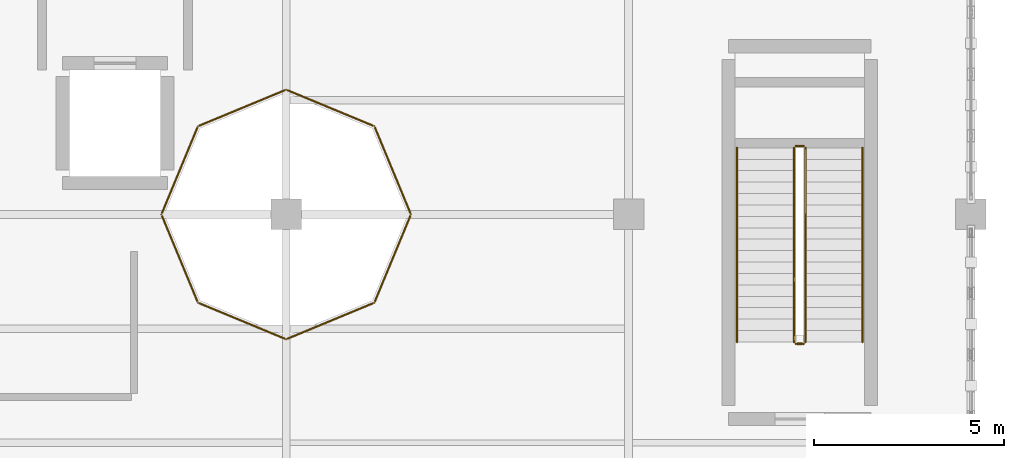
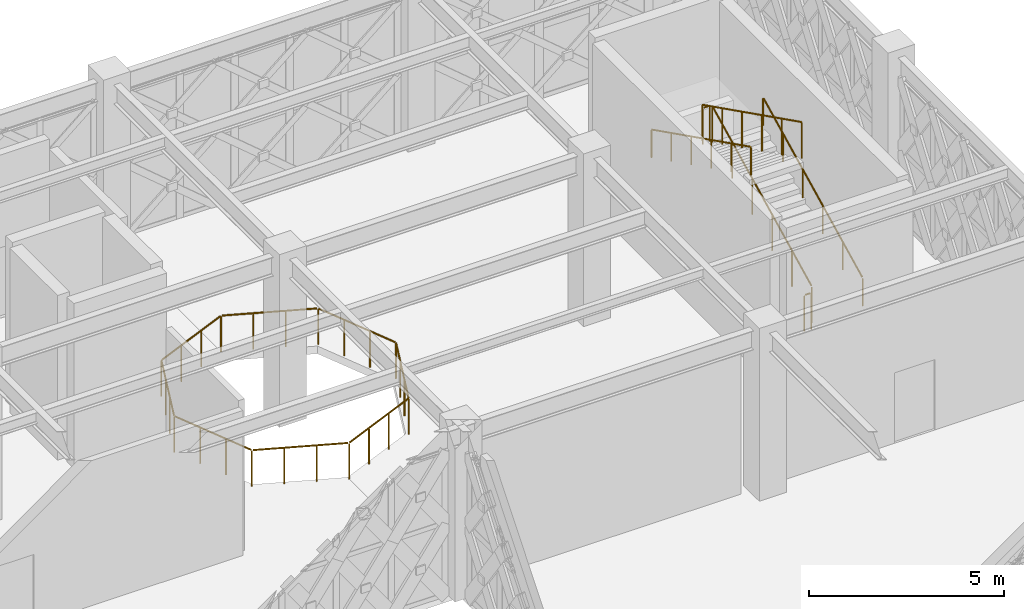
# One storey, part 80 of 86: 7 railings.
"""IFC4 building model written with IfcOpenShell, lengths in metres."""

from ifc_helpers import new_model, si_unit, direction, frame, origin, origin_2d, place, context, subcontext, project, spatial, circle, extrude, material, type_object, element, save


model = new_model("IFC4")

# Units and contexts
model_context = context("Model", 3, precision=1e-05, world=origin(), true_north=direction((0.0, 1.0)))
body_context = subcontext(model_context, "Body", "Model", "MODEL_VIEW")
ifc_project = project(units=[si_unit("LENGTHUNIT", "METRE"), si_unit("AREAUNIT", "SQUARE_METRE"), si_unit("VOLUMEUNIT", "CUBIC_METRE"), si_unit("PLANEANGLEUNIT", "RADIAN"), si_unit("MASSUNIT", "GRAM", prefix="KILO")], contexts=[model_context])

# Site, building, storey
site_placement = place(None, origin())
site = spatial("IfcSite", under=ifc_project, at=site_placement, CompositionType="ELEMENT")
building_placement = place(site_placement, origin())
building = spatial("IfcBuilding", under=site, at=building_placement, Name="Haizhuo Lancet Aquarium", CompositionType="ELEMENT")
storey_placement = place(building_placement, frame((0.0, 0.0, 16.199951171875)))
storey = spatial("IfcBuildingStorey", under=building, at=storey_placement, Name="L03", CompositionType="ELEMENT", Elevation=16.199951171875)

# Railings
ifc_material = material(Name="Steel S355", Category="steel")
railing_type_1 = type_object("IfcRailingType", Name="RL-GRD-1150", PredefinedType="GUARDRAIL", material=ifc_material)
railing_1_placement = place(storey_placement, frame((-40.35009765625, -21.35009765625, 0.150146484375)))
element("IfcRailing", 1, at=railing_1_placement, inside=storey, type_object=railing_type_1, Name="L03 ST-09 stair guard 1", PredefinedType="GUARDRAIL", context=body_context, shape_type="SweptSolid", body=[
    extrude(circle(Radius=0.02392578125, at=origin_2d()), frame((0.0, 0.02685546875, 1.13916015625), z_axis=(0.0, 0.89444431709, 0.44717934168), x_axis=(-1.0, 0.0, 0.0)), (0.0, 0.0, 1.0), 5.64208984375),
    extrude(circle(Radius=0.02099609375, at=origin_2d()), origin(), (0.0, 0.0, 1.0), 1.097900390625),
    extrude(circle(Radius=0.02099609375, at=origin_2d()), frame((0.0, 1.02001953125, 0.510009765625)), (0.0, 0.0, 1.0), 1.097900390625),
    extrude(circle(Radius=0.02099609375, at=origin_2d()), frame((0.0, 2.0400390625, 1.02001953125)), (0.0, 0.0, 1.0), 1.097900390625),
    extrude(circle(Radius=0.02099609375, at=origin_2d()), frame((0.0, 3.06005859375, 1.52978515625)), (0.0, 0.0, 1.0), 1.097900390625),
    extrude(circle(Radius=0.02099609375, at=origin_2d()), frame((0.0, 4.080078125, 2.039794921875)), (0.0, 0.0, 1.0), 1.097900390625),
    extrude(circle(Radius=0.02099609375, at=origin_2d()), frame((0.0, 5.10009765625, 2.5498046875)), (0.0, 0.0, 1.0), 1.097900390625),
])
railing_2_placement = place(storey_placement, frame((-40.39990234375, -16.199951171875, 2.699951171875)))
element("IfcRailing", 2, at=railing_2_placement, inside=storey, type_object=railing_type_1, Name="L03 ST-09 stair guard 2", PredefinedType="GUARDRAIL", context=body_context, shape_type="SweptSolid", body=[
    extrude(circle(Radius=0.02392578125, at=origin_2d()), frame((-0.030029296875, 0.0, 1.1259765625), z_axis=(-1.0, 0.0, 0.0), x_axis=(0.0, -1.0, 0.0)), (0.0, 0.0, 1.0), 0.14013671875),
    extrude(circle(Radius=0.02099609375, at=origin_2d()), origin(), (0.0, 0.0, 1.0), 1.097900390625),
    extrude(circle(Radius=0.02099609375, at=origin_2d()), frame((-0.2001953125, 0.0, 0.0)), (0.0, 0.0, 1.0), 1.097900390625),
])
railing_3_placement = place(storey_placement, frame((-40.64990234375, -16.25, 2.85009765625)))
element("IfcRailing", 3, at=railing_3_placement, inside=storey, type_object=railing_type_1, Name="L03 ST-09 stair guard 3", PredefinedType="GUARDRAIL", context=body_context, shape_type="SweptSolid", body=[
    extrude(circle(Radius=0.02392578125, at=origin_2d()), frame((0.0, -0.02685546875, 1.13916015625), z_axis=(0.0, -0.894427191, 0.4472135955), x_axis=(1.0, 0.0, 0.0)), (0.0, 0.0, 1.0), 5.64208984375),
    extrude(circle(Radius=0.02099609375, at=origin_2d()), origin(), (0.0, 0.0, 1.0), 1.097900390625),
    extrude(circle(Radius=0.02099609375, at=origin_2d()), frame((0.0, -1.02001953125, 0.510009765625)), (0.0, 0.0, 1.0), 1.097900390625),
    extrude(circle(Radius=0.02099609375, at=origin_2d()), frame((0.0, -2.0400390625, 1.02001953125)), (0.0, 0.0, 1.0), 1.097900390625),
    extrude(circle(Radius=0.02099609375, at=origin_2d()), frame((0.0, -3.06005859375, 1.530029296875)), (0.0, 0.0, 1.0), 1.097900390625),
    extrude(circle(Radius=0.02099609375, at=origin_2d()), frame((0.0, -4.080078125, 2.0400390625)), (0.0, 0.0, 1.0), 1.097900390625),
    extrude(circle(Radius=0.02099609375, at=origin_2d()), frame((0.0, -5.10009765625, 2.550048828125)), (0.0, 0.0, 1.0), 1.097900390625),
])
railing_4_placement = place(storey_placement, frame((-40.39990234375, -21.39990234375, 0.0)))
element("IfcRailing", 4, at=railing_4_placement, inside=storey, type_object=railing_type_1, Name="L03 ST-09 stair guard 4", PredefinedType="GUARDRAIL", context=body_context, shape_type="SweptSolid", body=[
    extrude(circle(Radius=0.02392578125, at=origin_2d()), frame((-0.030029296875, 0.0, 1.1259765625), z_axis=(-1.0, 0.0, 0.0), x_axis=(0.0, -1.0, 0.0)), (0.0, 0.0, 1.0), 0.14013671875),
    extrude(circle(Radius=0.02099609375, at=origin_2d()), origin(), (0.0, 0.0, 1.0), 1.097900390625),
    extrude(circle(Radius=0.02099609375, at=origin_2d()), frame((-0.2001953125, 0.0, 0.0)), (0.0, 0.0, 1.0), 1.097900390625),
])
railing_5_placement = place(storey_placement, frame((-50.719970703125, -18.0, 0.0)))
element("IfcRailing", 5, at=railing_5_placement, inside=storey, type_object=railing_type_1, Name="L03 atrium opening guardrail V6ATR", PredefinedType="GUARDRAIL", context=body_context, shape_type="SweptSolid", body=[
    extrude(circle(Radius=0.02392578125, at=origin_2d()), frame((-0.011474609375, 0.02783203125, 1.1259765625), z_axis=(-0.38279843311, 0.923831889257, 0.0), x_axis=(-0.923831889257, -0.38279843311, 0.0)), (0.0, 0.0, 1.0), 2.4501953125),
    extrude(circle(Radius=0.02392578125, at=origin_2d()), frame((-0.98876953125, 2.33056640625, 1.1259765625), z_axis=(-0.923831889257, 0.38279843311, 0.0), x_axis=(-0.38279843311, -0.923831889257, 0.0)), (0.0, 0.0, 1.0), 2.4501953125),
    extrude(circle(Radius=0.02392578125, at=origin_2d()), frame((-3.307861328125, 3.2685546875, 1.1259765625), z_axis=(-0.923831889257, -0.38279843311, 0.0), x_axis=(0.38279843311, -0.923831889257, 0.0)), (0.0, 0.0, 1.0), 2.4501953125),
    extrude(circle(Radius=0.02392578125, at=origin_2d()), frame((-5.610595703125, 2.291259765625, 1.1259765625), z_axis=(-0.38279843311, -0.923831889257, 0.0), x_axis=(0.923831889257, -0.38279843311, 0.0)), (0.0, 0.0, 1.0), 2.4501953125),
    extrude(circle(Radius=0.02392578125, at=origin_2d()), frame((-6.548583984375, -0.02783203125, 1.1259765625), z_axis=(0.38279843311, -0.923831889257, 0.0), x_axis=(0.923831889257, 0.38279843311, 0.0)), (0.0, 0.0, 1.0), 2.4501953125),
    extrude(circle(Radius=0.02392578125, at=origin_2d()), frame((-5.5712890625, -2.33056640625, 1.1259765625), z_axis=(0.923831889257, -0.38279843311, 0.0), x_axis=(0.38279843311, 0.923831889257, 0.0)), (0.0, 0.0, 1.0), 2.4501953125),
    extrude(circle(Radius=0.02392578125, at=origin_2d()), frame((-3.252197265625, -3.2685546875, 1.1259765625), z_axis=(0.923831889257, 0.38279843311, 0.0), x_axis=(-0.38279843311, 0.923831889257, 0.0)), (0.0, 0.0, 1.0), 2.4501953125),
    extrude(circle(Radius=0.02392578125, at=origin_2d()), frame((-0.949462890625, -2.291259765625, 1.1259765625), z_axis=(0.38279843311, 0.923831889257, 0.0), x_axis=(-0.923831889257, 0.38279843311, 0.0)), (0.0, 0.0, 1.0), 2.4501953125),
    extrude(circle(Radius=0.02099609375, at=origin_2d()), origin(), (0.0, 0.0, 1.0), 1.097900390625),
    extrude(circle(Radius=0.02099609375, at=origin_2d()), frame((-0.3203125, 0.77294921875, 0.0)), (0.0, 0.0, 1.0), 1.097900390625),
    extrude(circle(Radius=0.02099609375, at=origin_2d()), frame((-0.640625, 1.546142578125, 0.0)), (0.0, 0.0, 1.0), 1.097900390625),
    extrude(circle(Radius=0.02099609375, at=origin_2d()), frame((-0.9609375, 2.319091796875, 0.0)), (0.0, 0.0, 1.0), 1.097900390625),
    extrude(circle(Radius=0.02099609375, at=origin_2d()), frame((-1.73388671875, 2.639404296875, 0.0)), (0.0, 0.0, 1.0), 1.097900390625),
    extrude(circle(Radius=0.02099609375, at=origin_2d()), frame((-2.507080078125, 2.959716796875, 0.0)), (0.0, 0.0, 1.0), 1.097900390625),
    extrude(circle(Radius=0.02099609375, at=origin_2d()), frame((-3.280029296875, 3.280029296875, 0.0)), (0.0, 0.0, 1.0), 1.097900390625),
    extrude(circle(Radius=0.02099609375, at=origin_2d()), frame((-4.052978515625, 2.959716796875, 0.0)), (0.0, 0.0, 1.0), 1.097900390625),
    extrude(circle(Radius=0.02099609375, at=origin_2d()), frame((-4.826171875, 2.639404296875, 0.0)), (0.0, 0.0, 1.0), 1.097900390625),
    extrude(circle(Radius=0.02099609375, at=origin_2d()), frame((-5.59912109375, 2.319091796875, 0.0)), (0.0, 0.0, 1.0), 1.097900390625),
    extrude(circle(Radius=0.02099609375, at=origin_2d()), frame((-5.91943359375, 1.546142578125, 0.0)), (0.0, 0.0, 1.0), 1.097900390625),
    extrude(circle(Radius=0.02099609375, at=origin_2d()), frame((-6.23974609375, 0.77294921875, 0.0)), (0.0, 0.0, 1.0), 1.097900390625),
    extrude(circle(Radius=0.02099609375, at=origin_2d()), frame((-6.56005859375, 0.0, 0.0)), (0.0, 0.0, 1.0), 1.097900390625),
    extrude(circle(Radius=0.02099609375, at=origin_2d()), frame((-6.23974609375, -0.77294921875, 0.0)), (0.0, 0.0, 1.0), 1.097900390625),
    extrude(circle(Radius=0.02099609375, at=origin_2d()), frame((-5.91943359375, -1.546142578125, 0.0)), (0.0, 0.0, 1.0), 1.097900390625),
    extrude(circle(Radius=0.02099609375, at=origin_2d()), frame((-5.59912109375, -2.319091796875, 0.0)), (0.0, 0.0, 1.0), 1.097900390625),
    extrude(circle(Radius=0.02099609375, at=origin_2d()), frame((-4.826171875, -2.639404296875, 0.0)), (0.0, 0.0, 1.0), 1.097900390625),
    extrude(circle(Radius=0.02099609375, at=origin_2d()), frame((-4.052978515625, -2.959716796875, 0.0)), (0.0, 0.0, 1.0), 1.097900390625),
    extrude(circle(Radius=0.02099609375, at=origin_2d()), frame((-3.280029296875, -3.280029296875, 0.0)), (0.0, 0.0, 1.0), 1.097900390625),
    extrude(circle(Radius=0.02099609375, at=origin_2d()), frame((-2.507080078125, -2.959716796875, 0.0)), (0.0, 0.0, 1.0), 1.097900390625),
    extrude(circle(Radius=0.02099609375, at=origin_2d()), frame((-1.73388671875, -2.639404296875, 0.0)), (0.0, 0.0, 1.0), 1.097900390625),
    extrude(circle(Radius=0.02099609375, at=origin_2d()), frame((-0.9609375, -2.319091796875, 0.0)), (0.0, 0.0, 1.0), 1.097900390625),
    extrude(circle(Radius=0.02099609375, at=origin_2d()), frame((-0.640625, -1.546142578125, 0.0)), (0.0, 0.0, 1.0), 1.097900390625),
    extrude(circle(Radius=0.02099609375, at=origin_2d()), frame((-0.3203125, -0.77294921875, 0.0)), (0.0, 0.0, 1.0), 1.097900390625),
])
railing_type_2 = type_object("IfcRailingType", Name="RL-HDR-900", PredefinedType="HANDRAIL", material=ifc_material)
railing_6_placement = place(storey_placement, frame((-38.85009765625, -21.35009765625, 0.150146484375)))
element("IfcRailing", 6, at=railing_6_placement, inside=storey, type_object=railing_type_2, Name="L03 ST-09 pitch handrail 1", PredefinedType="HANDRAIL", context=body_context, shape_type="SweptSolid", body=[
    extrude(circle(Radius=0.02392578125, at=origin_2d()), frame((0.0, 0.02685546875, 0.88916015625), z_axis=(0.0, 0.89444431709, 0.44717934168), x_axis=(-1.0, 0.0, 0.0)), (0.0, 0.0, 1.0), 5.64208984375),
    extrude(circle(Radius=0.02099609375, at=origin_2d()), origin(), (0.0, 0.0, 1.0), 0.847900390625),
    extrude(circle(Radius=0.02099609375, at=origin_2d()), frame((0.0, 1.02001953125, 0.510009765625)), (0.0, 0.0, 1.0), 0.847900390625),
    extrude(circle(Radius=0.02099609375, at=origin_2d()), frame((0.0, 2.0400390625, 1.02001953125)), (0.0, 0.0, 1.0), 0.847900390625),
    extrude(circle(Radius=0.02099609375, at=origin_2d()), frame((0.0, 3.06005859375, 1.52978515625)), (0.0, 0.0, 1.0), 0.847900390625),
    extrude(circle(Radius=0.02099609375, at=origin_2d()), frame((0.0, 4.080078125, 2.039794921875)), (0.0, 0.0, 1.0), 0.847900390625),
    extrude(circle(Radius=0.02099609375, at=origin_2d()), frame((0.0, 5.10009765625, 2.5498046875)), (0.0, 0.0, 1.0), 0.847900390625),
])
railing_7_placement = place(storey_placement, frame((-42.14990234375, -16.25, 2.85009765625)))
element("IfcRailing", 7, at=railing_7_placement, inside=storey, type_object=railing_type_2, Name="L03 ST-09 pitch handrail 2", PredefinedType="HANDRAIL", context=body_context, shape_type="SweptSolid", body=[
    extrude(circle(Radius=0.02392578125, at=origin_2d()), frame((0.0, -0.02685546875, 0.88916015625), z_axis=(0.0, -0.894427191, 0.4472135955), x_axis=(1.0, 0.0, 0.0)), (0.0, 0.0, 1.0), 5.64208984375),
    extrude(circle(Radius=0.02099609375, at=origin_2d()), origin(), (0.0, 0.0, 1.0), 0.847900390625),
    extrude(circle(Radius=0.02099609375, at=origin_2d()), frame((0.0, -1.02001953125, 0.510009765625)), (0.0, 0.0, 1.0), 0.847900390625),
    extrude(circle(Radius=0.02099609375, at=origin_2d()), frame((0.0, -2.0400390625, 1.02001953125)), (0.0, 0.0, 1.0), 0.847900390625),
    extrude(circle(Radius=0.02099609375, at=origin_2d()), frame((0.0, -3.06005859375, 1.530029296875)), (0.0, 0.0, 1.0), 0.847900390625),
    extrude(circle(Radius=0.02099609375, at=origin_2d()), frame((0.0, -4.080078125, 2.0400390625)), (0.0, 0.0, 1.0), 0.847900390625),
    extrude(circle(Radius=0.02099609375, at=origin_2d()), frame((0.0, -5.10009765625, 2.550048828125)), (0.0, 0.0, 1.0), 0.847900390625),
])

save(model, "model.ifc")
